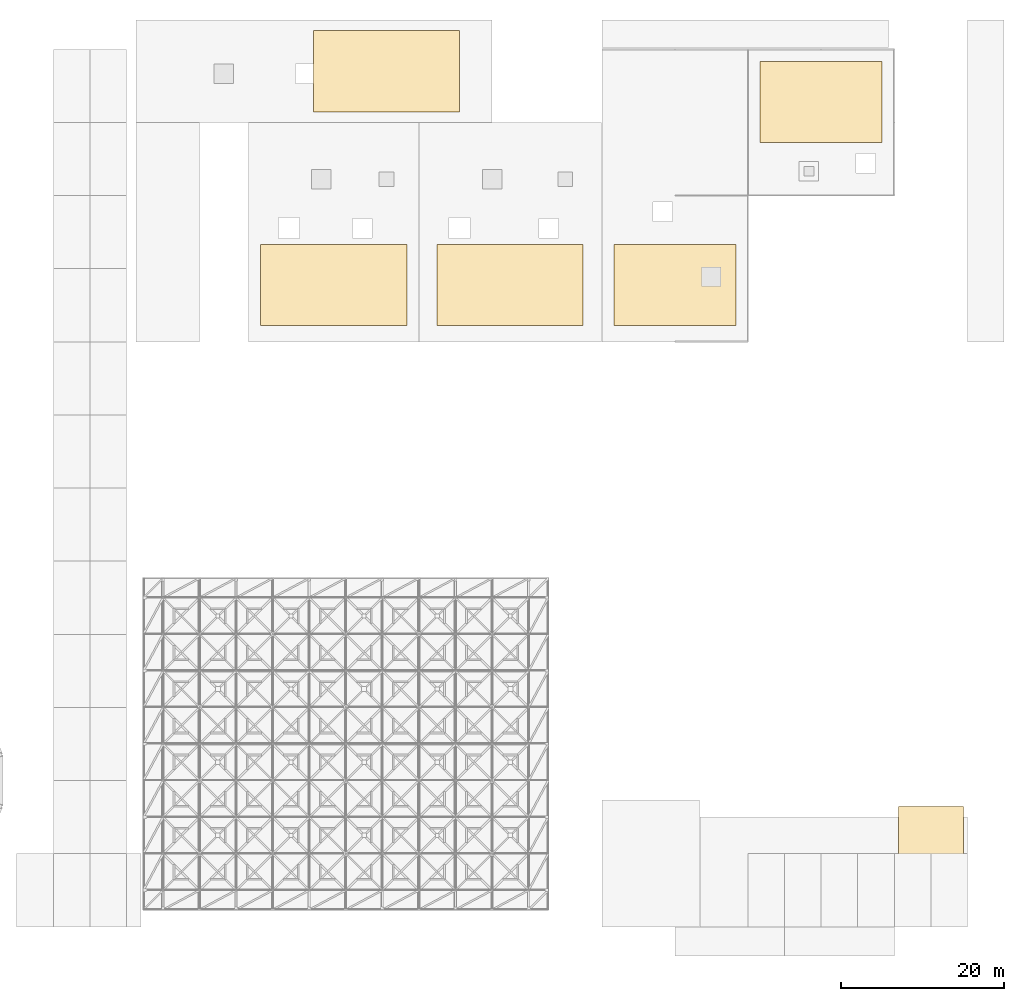
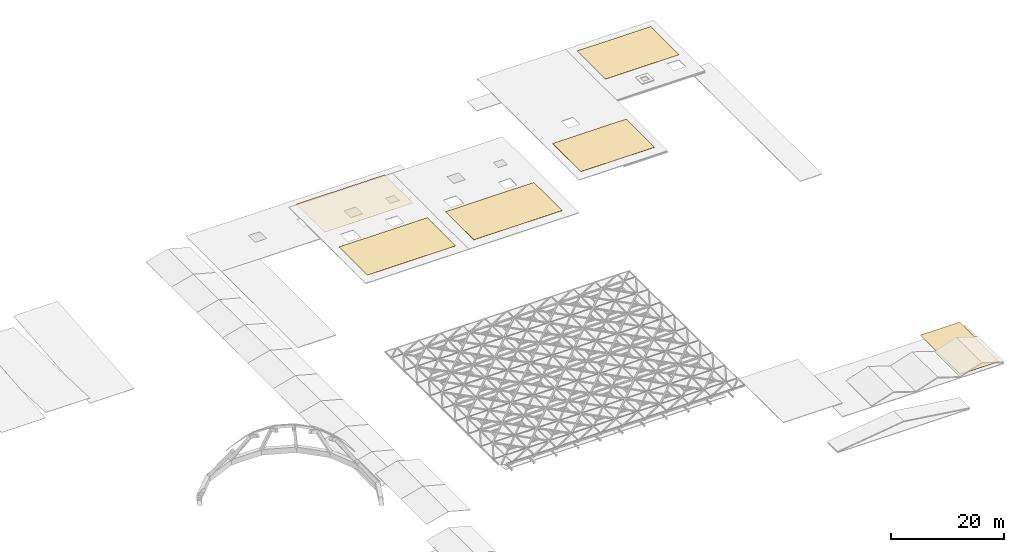
# One storey, part 80 of 80: 6 coverings.
"""IFC4 building model written with IfcOpenShell, lengths in metres."""

from ifc_helpers import new_model, si_unit, direction, frame, origin, origin_2d, place, context, subcontext, project, spatial, rectangle, extrude, material, layer, layer_set, type_object, element, save


model = new_model("IFC4")

# Units and contexts
model_context = context("Model", 3, precision=1e-05, world=origin(), true_north=direction((0.0, 1.0)))
body_context = subcontext(model_context, "Body", "Model", "MODEL_VIEW")
ifc_project = project(units=[si_unit("LENGTHUNIT", "METRE"), si_unit("AREAUNIT", "SQUARE_METRE"), si_unit("VOLUMEUNIT", "CUBIC_METRE"), si_unit("PLANEANGLEUNIT", "RADIAN"), si_unit("MASSUNIT", "GRAM", prefix="KILO"), si_unit("THERMODYNAMICTEMPERATUREUNIT", "KELVIN"), si_unit("POWERUNIT", "WATT")], contexts=[model_context])

# Site, building, storey
site_placement = place(None, origin())
site = spatial("IfcSite", under=ifc_project, at=site_placement, CompositionType="ELEMENT")
building_placement = place(site_placement, origin())
building = spatial("IfcBuilding", under=site, at=building_placement, Name="Tallowbark Science Centre", CompositionType="ELEMENT")
storey_placement = place(building_placement, frame((0.0, 0.0, 25.949951171875)))
storey = spatial("IfcBuildingStorey", under=building, at=storey_placement, Name="ROOF", CompositionType="ELEMENT", Elevation=25.949951171875)

# Coverings
ifc_material = material(Name="High-Albedo TPO Waterproofing Membrane")
ifc_layer = layer(ifc_material, 0.02392578125)
ifc_layer_set = layer_set([ifc_layer], Name="High-Albedo TPO Waterproofing Membrane")
covering_type = type_object("IfcCoveringType", Name="COV-ROOF-MEM", PredefinedType="ROOFING", material=ifc_layer_set)
for number, where, z_axis, x_axis, name in (
    (1, (79.5, 79.0, -7.0498046875), (0.0, 0.0, 1.0), (1.0, 0.0, 0.0), "Cool Roof Membrane MEM-LAB-W"),
    (2, (101.199951171875, 79.0, -7.0498046875), (0.0, 0.0, 1.0), (1.0, 0.0, 0.0), "Cool Roof Membrane MEM-LAB-E"),
):
    element("IfcCovering", number, at=place(storey_placement, frame(where, z_axis=z_axis, x_axis=x_axis)), inside=storey, type_object=covering_type, Name=name, PredefinedType="ROOFING", context=body_context, shape_type="SweptSolid", body=[
        extrude(rectangle(XDim=18.0, YDim=10.0, at=origin_2d()), origin(), (0.0, 0.0, 1.0), 0.02392578125),
    ])
for number, where, z_axis, x_axis, name in (
    (3, (121.5, 79.0, 0.0), (0.0, 0.0, 1.0), (1.0, 0.0, 0.0), "Cool Roof Membrane MEM-OBS-W"),
    (4, (139.5, 101.5, 0.0), (0.0, 0.0, 1.0), (1.0, 0.0, 0.0), "Cool Roof Membrane MEM-OBS-E"),
):
    element("IfcCovering", number, at=place(storey_placement, frame(where, z_axis=z_axis, x_axis=x_axis)), inside=storey, type_object=covering_type, Name=name, PredefinedType="ROOFING", context=body_context, shape_type="SweptSolid", body=[
        extrude(rectangle(XDim=15.0, YDim=10.0, at=origin_2d()), origin(), (0.0, 0.0, 1.0), 0.02392578125),
    ])
covering_1_placement = place(storey_placement, frame((86.0, 105.300048828125, -16.0498046875), z_axis=(0.0, 0.0, 1.0), x_axis=(1.0, 0.0, 0.0)))
element("IfcCovering", 5, at=covering_1_placement, inside=storey, type_object=covering_type, Name="Cool Roof Membrane MEM-CAF-1", PredefinedType="ROOFING", context=body_context, shape_type="SweptSolid", body=[
    extrude(rectangle(XDim=18.0, YDim=10.0, at=origin_2d()), origin(), (0.0, 0.0, 1.0), 0.02392578125),
])
covering_2_placement = place(storey_placement, frame((153.0, 7.800048828125, -11.5498046875), z_axis=(0.0, 0.0, 1.0), x_axis=(1.0, 0.0, 0.0)))
element("IfcCovering", 6, at=covering_2_placement, inside=storey, type_object=covering_type, Name="Cool Roof Membrane MEM-THT-1", PredefinedType="ROOFING", context=body_context, shape_type="SweptSolid", body=[
    extrude(rectangle(XDim=8.0, YDim=14.0, at=origin_2d()), origin(), (0.0, 0.0, 1.0), 0.02392578125),
])

save(model, "model.ifc")
